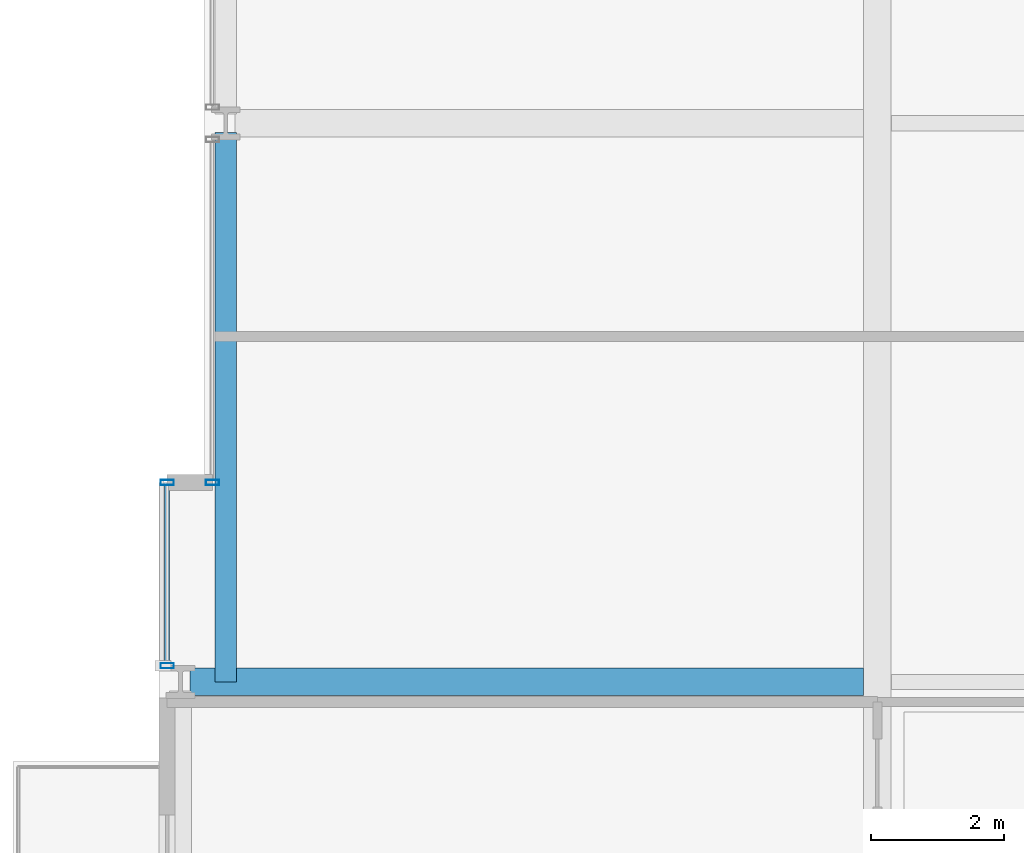
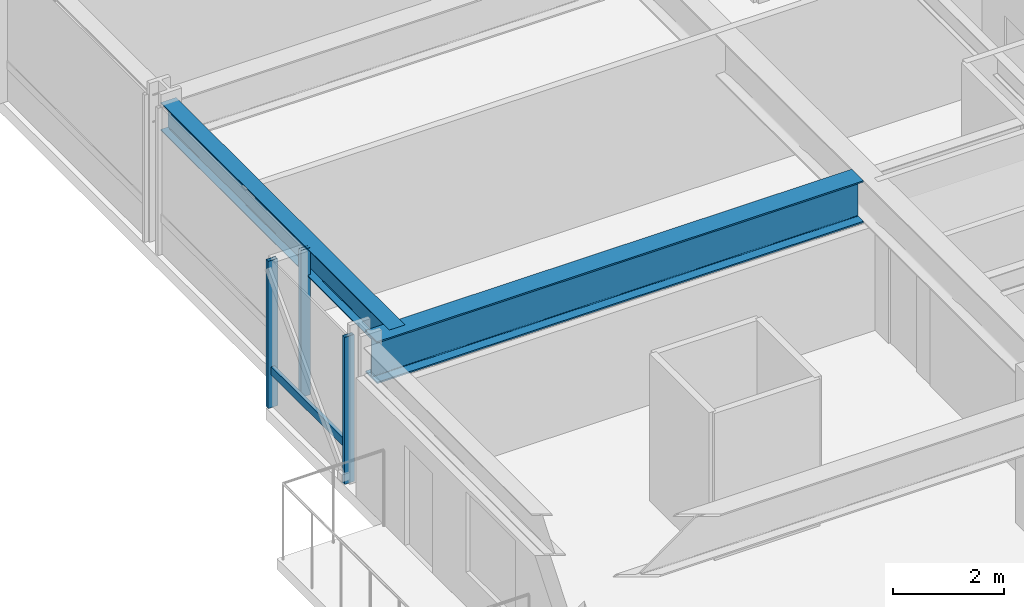
# One storey, part 7 of 39: 4 members, 2 beams, 2 elements without a shape of their own.
"""IFC4 building model written with IfcOpenShell, lengths in metres."""

from ifc_helpers import new_model, si_unit, direction, frame, origin, origin_2d, place, context, subcontext, project, spatial, hollow_rectangle, i_section, extrude, material, layer, layer_set, material_profile, profile_set, type_object, element, aggregate, save


model = new_model("IFC4")

# Units and contexts
model_context = context("Model", 3, precision=1e-05, world=origin(), true_north=direction((0.0, 1.0)))
body_context = subcontext(model_context, "Body", "Model", "MODEL_VIEW")
ifc_project = project(units=[si_unit("LENGTHUNIT", "METRE"), si_unit("AREAUNIT", "SQUARE_METRE"), si_unit("VOLUMEUNIT", "CUBIC_METRE"), si_unit("PLANEANGLEUNIT", "RADIAN"), si_unit("MASSUNIT", "GRAM", prefix="KILO")], contexts=[model_context])

# Site, building, storey
site_placement = place(None, origin())
site = spatial("IfcSite", under=ifc_project, at=site_placement, CompositionType="ELEMENT")
building_placement = place(site_placement, origin())
building = spatial("IfcBuilding", under=site, at=building_placement, Name="Drelvath Grand Hotel", CompositionType="ELEMENT")
storey_placement = place(building_placement, frame((0.0, 0.0, 54.199951171875)))
storey = spatial("IfcBuildingStorey", under=building, at=storey_placement, Name="L12", CompositionType="ELEMENT", Elevation=54.199951171875)

# Curtain wall, members
ifc_material_1 = material(Name="Warm Bronze Anodised Aluminium Frame", Category="aluminium")
ifc_layer = layer(ifc_material_1, 0.199951171875)
ifc_layer_set = layer_set([ifc_layer], Name="Warm Bronze Anodised Aluminium Frame")
curtain_wall_type = type_object("IfcCurtainWallType", Name="Stick Curtain Wall CW-02 Warm Bronze Low-Rise", PredefinedType="NOTDEFINED", material=ifc_layer_set)
curtain_wall_1_placement = place(storey_placement, origin())
curtain_wall_1 = element("IfcCurtainWall", 1, at=curtain_wall_1_placement, inside=storey, type_object=curtain_wall_type, Name="L12 CW-02 Curtain Wall CW02-L12-WS3", PredefinedType="NOTDEFINED")
ifc_material_profile_1 = material_profile(ifc_material_1, hollow_rectangle(XDim=0.074951171875, YDim=0.179931640625, WallThickness=0.0048828125, at=origin_2d()), Name="HSS180X75X5")
ifc_profile_set_1 = profile_set([ifc_material_profile_1], Name="Warm Bronze Anodised Aluminium Frame")
member_type_1 = type_object("IfcMemberType", Name="Curtain Wall Horizontal Transom CW-02 HSS180X75X5", PredefinedType="USERDEFINED", material=ifc_profile_set_1)
member_1_placement = place(storey_placement, frame((-26.8798828125, 18.880859375, 0.81005859375), z_axis=(0.0, 1.0, 0.0), x_axis=(-1.0, 0.0, 0.0)))
member_1 = element("IfcMember", 2, at=member_1_placement, type_object=member_type_1, Name="CW02-L12-WS3 Sill Transom", ObjectType="TRANSOM", PredefinedType="USERDEFINED", context=body_context, shape_type="SweptSolid", body=[
    extrude(hollow_rectangle(XDim=0.074951171875, YDim=0.179931640625, WallThickness=0.0048828125, at=origin_2d()), origin(), (0.0, 0.0, 1.0), 2.67919921875),
])
ifc_material_profile_2 = material_profile(ifc_material_1, hollow_rectangle(XDim=0.080078125, YDim=0.199951171875, WallThickness=0.0048828125, at=origin_2d()), Name="HSS200X80X5")
ifc_profile_set_2 = profile_set([ifc_material_profile_2], Name="Warm Bronze Anodised Aluminium Frame")
member_type_2 = type_object("IfcMemberType", Name="Curtain Wall Vertical Mullion CW-02 HSS200X80X5", PredefinedType="MULLION", material=ifc_profile_set_2)
member_2_placement = place(storey_placement, frame((-26.8798828125, 18.8408203125, 0.0), z_axis=(0.0, 0.0, 1.0), x_axis=(0.0, 1.0, 0.0)))
member_2 = element("IfcMember", 3, at=member_2_placement, type_object=member_type_2, Name="CW02-L12-WS3 Mullion 1", PredefinedType="MULLION", context=body_context, shape_type="SweptSolid", body=[
    extrude(hollow_rectangle(XDim=0.080078125, YDim=0.199951171875, WallThickness=0.0048828125, at=origin_2d()), origin(), (0.0, 0.0, 1.0), 3.239990234375),
])
member_3_placement = place(storey_placement, frame((-26.8798828125, 21.60009765625, 0.0), z_axis=(0.0, 0.0, 1.0), x_axis=(0.0, 1.0, 0.0)))
member_3 = element("IfcMember", 4, at=member_3_placement, type_object=member_type_2, Name="CW02-L12-WS3 Mullion 2", PredefinedType="MULLION", context=body_context, shape_type="SweptSolid", body=[
    extrude(hollow_rectangle(XDim=0.080078125, YDim=0.199951171875, WallThickness=0.0048828125, at=origin_2d()), origin(), (0.0, 0.0, 1.0), 3.239990234375),
])
aggregate(curtain_wall_1, [member_2, member_3, member_1])

# Curtain wall, member
curtain_wall_2_placement = place(storey_placement, origin())
curtain_wall_2 = element("IfcCurtainWall", 5, at=curtain_wall_2_placement, inside=storey, type_object=curtain_wall_type, Name="L12 CW-02 Curtain Wall CW02-L12-WM1", PredefinedType="NOTDEFINED")
member_4_placement = place(storey_placement, frame((-26.199951171875, 21.60009765625, 0.0), z_axis=(0.0, 0.0, 1.0), x_axis=(0.0, 1.0, 0.0)))
member_4 = element("IfcMember", 6, at=member_4_placement, type_object=member_type_2, Name="CW02-L12-WM1 Mullion 1", PredefinedType="MULLION", context=body_context, shape_type="SweptSolid", body=[
    extrude(hollow_rectangle(XDim=0.080078125, YDim=0.199951171875, WallThickness=0.0048828125, at=origin_2d()), origin(), (0.0, 0.0, 1.0), 3.239990234375),
])
aggregate(curtain_wall_2, [member_4])

# Beams
ifc_material_2 = material(Name="Steel ASTM A992 Gr 50", Category="steel")
ifc_material_profile_3 = material_profile(ifc_material_2, i_section(OverallWidth=0.323974609375, OverallDepth=0.611083984375, WebThickness=0.0126953125, FlangeThickness=0.01904296875, FilletRadius=0.02197265625, at=origin_2d()), Name="W24X104")
ifc_profile_set_3 = profile_set([ifc_material_profile_3], Name="Steel ASTM A992 Gr 50")
beam_type_1 = type_object("IfcBeamType", Name="Perimeter Spandrel Beam W24X104", PredefinedType="SPANDREL", material=ifc_profile_set_3)
beam_1_placement = place(storey_placement, frame((-26.0, 18.60009765625, 2.9345703125), z_axis=(0.0, 1.0, 0.0), x_axis=(-1.0, 0.0, 0.0)))
element("IfcBeam", 7, at=beam_1_placement, inside=storey, type_object=beam_type_1, Name="L12 Spandrel West Mid S", PredefinedType="SPANDREL", context=body_context, shape_type="SweptSolid", body=[
    extrude(i_section(OverallWidth=0.323974609375, OverallDepth=0.611083984375, WebThickness=0.0126953125, FlangeThickness=0.01904296875, FilletRadius=0.02197265625, at=origin_2d()), origin(), (0.0, 0.0, 1.0), 8.260009765625),
])
ifc_material_profile_4 = material_profile(ifc_material_2, i_section(OverallWidth=0.418212890625, OverallDepth=0.926513671875, WebThickness=0.019287109375, FlangeThickness=0.031982421875, FilletRadius=0.028076171875, at=origin_2d()), Name="W36X231")
ifc_profile_set_4 = profile_set([ifc_material_profile_4], Name="Steel ASTM A992 Gr 50")
beam_type_2 = type_object("IfcBeamType", Name="Primary Floor Girder W36X231", PredefinedType="BEAM", material=ifc_profile_set_4)
beam_2_placement = place(storey_placement, frame((-26.5400390625, 18.60009765625, 2.77685546875), z_axis=(1.0, 0.0, 0.0), x_axis=(0.0, 1.0, 0.0)))
element("IfcBeam", 8, at=beam_2_placement, inside=storey, type_object=beam_type_2, Name="L12 West Wing Girder D", PredefinedType="BEAM", context=body_context, shape_type="SweptSolid", body=[
    extrude(i_section(OverallWidth=0.418212890625, OverallDepth=0.926513671875, WebThickness=0.019287109375, FlangeThickness=0.031982421875, FilletRadius=0.028076171875, at=origin_2d()), origin(), (0.0, 0.0, 1.0), 10.130859375),
])

save(model, "model.ifc")
